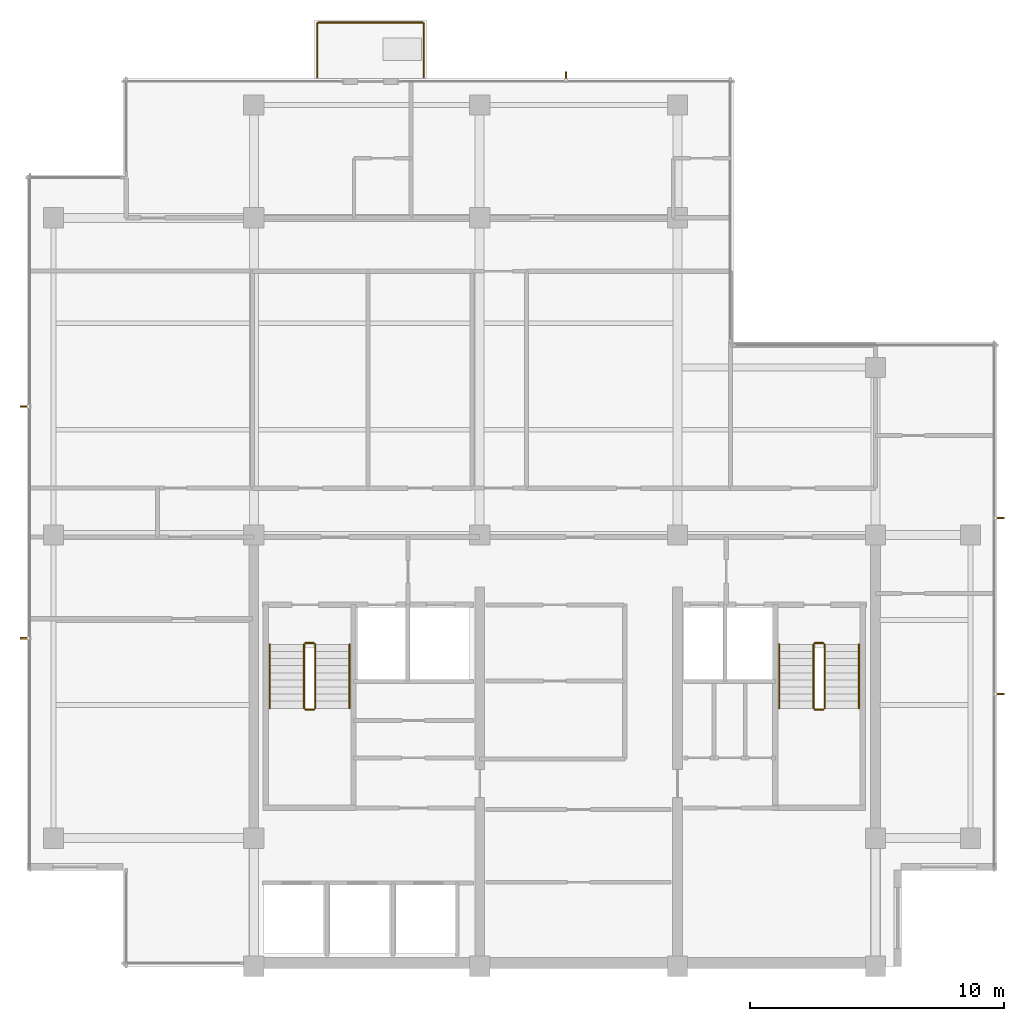
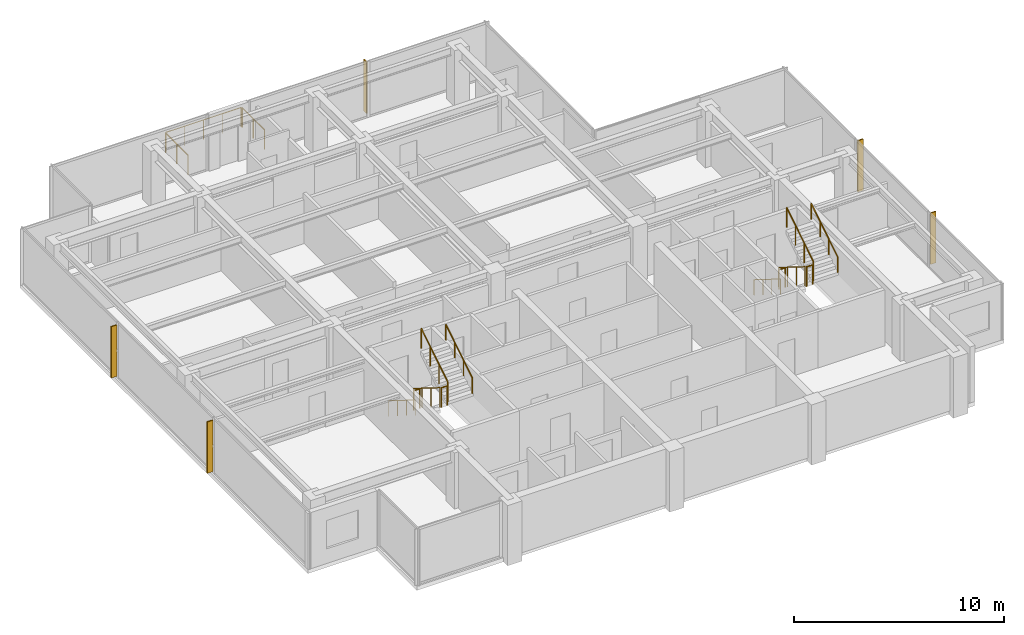
# One storey, part 11 of 11: 15 railings, 5 shading devices.
"""IFC4 building model written with IfcOpenShell, lengths in metres."""

from ifc_helpers import new_model, si_unit, direction, frame, origin, origin_2d, place, context, subcontext, project, spatial, polyline, circle, outline, extrude, material, layer, layer_set, type_object, element, save


model = new_model("IFC4")

# Units and contexts
model_context = context("Model", 3, precision=1e-05, world=origin(), true_north=direction((0.0, 1.0)))
body_context = subcontext(model_context, "Body", "Model", "MODEL_VIEW")
ifc_project = project(units=[si_unit("LENGTHUNIT", "METRE"), si_unit("AREAUNIT", "SQUARE_METRE"), si_unit("VOLUMEUNIT", "CUBIC_METRE"), si_unit("PLANEANGLEUNIT", "RADIAN"), si_unit("MASSUNIT", "GRAM", prefix="KILO")], contexts=[model_context])

# Site, building, storey
site_placement = place(None, origin())
site = spatial("IfcSite", under=ifc_project, at=site_placement, CompositionType="ELEMENT")
building_placement = place(site_placement, origin())
building = spatial("IfcBuilding", under=site, at=building_placement, Name="Qalmaran Belvedere Hotel", CompositionType="ELEMENT")
storey_placement = place(building_placement, frame((0.0, 0.0, 273.89990234375)))
storey = spatial("IfcBuildingStorey", under=building, at=storey_placement, Name="L71", CompositionType="ELEMENT", Elevation=273.89990234375)

# Shading devices
ifc_material_1 = material(Name="Anodised Bronze Aluminium", Category="aluminium")
ifc_layer = layer(ifc_material_1, 0.06494140625, Name="Anodised Bronze Aluminium")
ifc_layer_set = layer_set([ifc_layer], Name="Anodised Bronze Aluminium")
shading_device_type = type_object("IfcShadingDeviceType", Name="FIN-BRNZ-300", PredefinedType="USERDEFINED", material=ifc_layer_set)
shading_device_1_placement = place(storey_placement, frame((0.0, 0.0, 0.16015625)))
element("IfcShadingDevice", 1, at=shading_device_1_placement, inside=storey, type_object=shading_device_type, Name="L71 Bronze Fin 1", ObjectType="FIN", PredefinedType="USERDEFINED", context=body_context, shape_type="SweptSolid", body=[
    extrude(outline(polyline([(49.5673828125, 14.20068359375), (49.867431640625, 14.20068359375), (49.867431640625, 14.265869140625), (49.5673828125, 14.265869140625), (49.5673828125, 14.20068359375)])), origin(), (0.0, 0.0, 1.0), 2.97998046875),
])
shading_device_2_placement = place(storey_placement, frame((0.0, 0.0, 0.16015625)))
element("IfcShadingDevice", 2, at=shading_device_2_placement, inside=storey, type_object=shading_device_type, Name="L71 Bronze Fin 2", ObjectType="FIN", PredefinedType="USERDEFINED", context=body_context, shape_type="SweptSolid", body=[
    extrude(outline(polyline([(49.5673828125, 21.13427734375), (49.867431640625, 21.13427734375), (49.867431640625, 21.19921875), (49.5673828125, 21.19921875), (49.5673828125, 21.13427734375)])), origin(), (0.0, 0.0, 1.0), 2.97998046875),
])
shading_device_3_placement = place(storey_placement, frame((0.0, 0.0, 0.16015625)))
element("IfcShadingDevice", 3, at=shading_device_3_placement, inside=storey, type_object=shading_device_type, Name="L71 Bronze Fin 1", ObjectType="FIN", PredefinedType="USERDEFINED", context=body_context, shape_type="SweptSolid", body=[
    extrude(outline(polyline([(32.632568359375, 38.467529296875), (32.632568359375, 38.767578125), (32.5673828125, 38.767578125), (32.5673828125, 38.467529296875), (32.632568359375, 38.467529296875)])), origin(), (0.0, 0.0, 1.0), 2.97998046875),
])
shading_device_4_placement = place(storey_placement, frame((0.0, 0.0, 0.16015625)))
element("IfcShadingDevice", 4, at=shading_device_4_placement, inside=storey, type_object=shading_device_type, Name="L71 Bronze Fin 1", ObjectType="FIN", PredefinedType="USERDEFINED", context=body_context, shape_type="SweptSolid", body=[
    extrude(outline(polyline([(11.382568359375, 25.59912109375), (11.08251953125, 25.59912109375), (11.08251953125, 25.5341796875), (11.382568359375, 25.5341796875), (11.382568359375, 25.59912109375)])), origin(), (0.0, 0.0, 1.0), 2.97998046875),
])
shading_device_5_placement = place(storey_placement, frame((0.0, 0.0, 0.16015625)))
element("IfcShadingDevice", 5, at=shading_device_5_placement, inside=storey, type_object=shading_device_type, Name="L71 Bronze Fin 2", ObjectType="FIN", PredefinedType="USERDEFINED", context=body_context, shape_type="SweptSolid", body=[
    extrude(outline(polyline([(11.382568359375, 16.4658203125), (11.08251953125, 16.4658203125), (11.08251953125, 16.40087890625), (11.382568359375, 16.40087890625), (11.382568359375, 16.4658203125)])), origin(), (0.0, 0.0, 1.0), 2.97998046875),
])

# Railings
railing_type_1 = type_object("IfcRailingType", Name="GRD-BAL-1150", PredefinedType="BALUSTRADE", material=ifc_material_1)
railing_1_placement = place(storey_placement, frame((22.800048828125, 38.534912109375, 0.0)))
element("IfcRailing", 6, at=railing_1_placement, inside=storey, type_object=railing_type_1, Name="L71 Guardrail BAL-L71-N-1", PredefinedType="BALUSTRADE", context=body_context, shape_type="SweptSolid", body=[
    extrude(circle(Radius=0.02392578125, at=origin_2d()), frame((0.0, 0.0, 1.1259765625), z_axis=(0.0, 1.0, 0.0), x_axis=(-1.0, 0.0, 0.0)), (0.0, 0.0, 1.0), 2.130126953125),
    extrude(circle(Radius=0.02099609375, at=origin_2d()), origin(), (0.0, 0.0, 1.0), 1.101806640625),
    extrude(circle(Radius=0.02099609375, at=origin_2d()), frame((0.0, 1.06494140625, 0.0)), (0.0, 0.0, 1.0), 1.101806640625),
    extrude(circle(Radius=0.02099609375, at=origin_2d()), frame((0.0, 2.130126953125, 0.0)), (0.0, 0.0, 1.0), 1.101806640625),
])
railing_2_placement = place(storey_placement, frame((22.8349609375, 40.699951171875, 0.0)))
element("IfcRailing", 7, at=railing_2_placement, inside=storey, type_object=railing_type_1, Name="L71 Guardrail BAL-L71-N-2", PredefinedType="BALUSTRADE", context=body_context, shape_type="SweptSolid", body=[
    extrude(circle(Radius=0.02392578125, at=origin_2d()), frame((0.0, 0.0, 1.1259765625), z_axis=(1.0, 0.0, 0.0), x_axis=(0.0, 1.0, 0.0)), (0.0, 0.0, 1.0), 4.130126953125),
    extrude(circle(Radius=0.02099609375, at=origin_2d()), origin(), (0.0, 0.0, 1.0), 1.101806640625),
    extrude(circle(Radius=0.02099609375, at=origin_2d()), frame((1.032470703125, 0.0, 0.0)), (0.0, 0.0, 1.0), 1.101806640625),
    extrude(circle(Radius=0.02099609375, at=origin_2d()), frame((2.06494140625, 0.0, 0.0)), (0.0, 0.0, 1.0), 1.101806640625),
    extrude(circle(Radius=0.02099609375, at=origin_2d()), frame((3.09765625, 0.0, 0.0)), (0.0, 0.0, 1.0), 1.101806640625),
    extrude(circle(Radius=0.02099609375, at=origin_2d()), frame((4.130126953125, 0.0, 0.0)), (0.0, 0.0, 1.0), 1.101806640625),
])
railing_3_placement = place(storey_placement, frame((27.0, 40.6650390625, 0.0)))
element("IfcRailing", 8, at=railing_3_placement, inside=storey, type_object=railing_type_1, Name="L71 Guardrail BAL-L71-N-3", PredefinedType="BALUSTRADE", context=body_context, shape_type="SweptSolid", body=[
    extrude(circle(Radius=0.02392578125, at=origin_2d()), frame((0.0, 0.0, 1.1259765625), z_axis=(0.0, -1.0, 0.0), x_axis=(1.0, 0.0, 0.0)), (0.0, 0.0, 1.0), 2.130126953125),
    extrude(circle(Radius=0.02099609375, at=origin_2d()), origin(), (0.0, 0.0, 1.0), 1.101806640625),
    extrude(circle(Radius=0.02099609375, at=origin_2d()), frame((0.0, -1.06494140625, 0.0)), (0.0, 0.0, 1.0), 1.101806640625),
    extrude(circle(Radius=0.02099609375, at=origin_2d()), frame((0.0, -2.130126953125, 0.0)), (0.0, 0.0, 1.0), 1.101806640625),
])
ifc_material_2 = material(Name="Stainless Steel 1.4401", Category="steel")
railing_type_2 = type_object("IfcRailingType", Name="RLG-STAIR-GUARD-1150", PredefinedType="GUARDRAIL", material=ifc_material_2)
railing_4_placement = place(storey_placement, frame((22.280029296875, 16.18994140625, 0.175048828125)))
element("IfcRailing", 9, at=railing_4_placement, inside=storey, type_object=railing_type_2, Name="L71 ST-1 stair guard 1", PredefinedType="GUARDRAIL", context=body_context, shape_type="SweptSolid", body=[
    extrude(circle(Radius=0.02392578125, at=origin_2d()), frame((0.0, 0.0, 1.1259765625), z_axis=(0.0, -0.848007534815, 0.529984170421), x_axis=(1.0, 0.0, 0.0)), (0.0, 0.0, 1.0), 2.9716796875),
    extrude(circle(Radius=0.02099609375, at=origin_2d()), origin(), (0.0, 0.0, 1.0), 1.101806640625),
    extrude(circle(Radius=0.02099609375, at=origin_2d()), frame((0.0, -0.840087890625, 0.52490234375)), (0.0, 0.0, 1.0), 1.101806640625),
    extrude(circle(Radius=0.02099609375, at=origin_2d()), frame((0.0, -1.679931640625, 1.050048828125)), (0.0, 0.0, 1.0), 1.101806640625),
    extrude(circle(Radius=0.02099609375, at=origin_2d()), frame((0.0, -2.52001953125, 1.574951171875)), (0.0, 0.0, 1.0), 1.101806640625),
])
railing_5_placement = place(storey_placement, frame((22.330078125, 13.6201171875, 1.75)))
element("IfcRailing", 10, at=railing_5_placement, inside=storey, type_object=railing_type_2, Name="L71 ST-1 stair guard 2", PredefinedType="GUARDRAIL", context=body_context, shape_type="SweptSolid", body=[
    extrude(circle(Radius=0.02392578125, at=origin_2d()), frame((0.0, 0.0, 1.1259765625), z_axis=(1.0, 0.0, 0.0), x_axis=(0.0, 1.0, 0.0)), (0.0, 0.0, 1.0), 0.33984375),
    extrude(circle(Radius=0.02099609375, at=origin_2d()), origin(), (0.0, 0.0, 1.0), 1.101806640625),
    extrude(circle(Radius=0.02099609375, at=origin_2d()), frame((0.33984375, 0.0, 0.0)), (0.0, 0.0, 1.0), 1.101806640625),
])
railing_6_placement = place(storey_placement, frame((22.719970703125, 13.669921875, 1.925048828125)))
element("IfcRailing", 11, at=railing_6_placement, inside=storey, type_object=railing_type_2, Name="L71 ST-1 stair guard 3", PredefinedType="GUARDRAIL", context=body_context, shape_type="SweptSolid", body=[
    extrude(circle(Radius=0.02392578125, at=origin_2d()), frame((0.0, 0.0, 1.1259765625), z_axis=(0.0, 0.848007534815, 0.529984170421), x_axis=(-1.0, 0.0, 0.0)), (0.0, 0.0, 1.0), 2.9716796875),
    extrude(circle(Radius=0.02099609375, at=origin_2d()), origin(), (0.0, 0.0, 1.0), 1.101806640625),
    extrude(circle(Radius=0.02099609375, at=origin_2d()), frame((0.0, 0.840087890625, 0.52490234375)), (0.0, 0.0, 1.0), 1.101806640625),
    extrude(circle(Radius=0.02099609375, at=origin_2d()), frame((0.0, 1.679931640625, 1.050048828125)), (0.0, 0.0, 1.0), 1.101806640625),
    extrude(circle(Radius=0.02099609375, at=origin_2d()), frame((0.0, 2.52001953125, 1.574951171875)), (0.0, 0.0, 1.0), 1.101806640625),
])
railing_7_placement = place(storey_placement, frame((22.330078125, 16.239990234375, 0.0)))
element("IfcRailing", 12, at=railing_7_placement, inside=storey, type_object=railing_type_2, Name="L71 ST-1 stair guard 4", PredefinedType="GUARDRAIL", context=body_context, shape_type="SweptSolid", body=[
    extrude(circle(Radius=0.02392578125, at=origin_2d()), frame((0.0, 0.0, 1.1259765625), z_axis=(1.0, 0.0, 0.0), x_axis=(0.0, 1.0, 0.0)), (0.0, 0.0, 1.0), 0.33984375),
    extrude(circle(Radius=0.02099609375, at=origin_2d()), origin(), (0.0, 0.0, 1.0), 1.101806640625),
    extrude(circle(Radius=0.02099609375, at=origin_2d()), frame((0.33984375, 0.0, 0.0)), (0.0, 0.0, 1.0), 1.101806640625),
])
railing_8_placement = place(storey_placement, frame((42.360107421875, 16.18994140625, 0.175048828125)))
element("IfcRailing", 13, at=railing_8_placement, inside=storey, type_object=railing_type_2, Name="L71 ST-2 stair guard 1", PredefinedType="GUARDRAIL", context=body_context, shape_type="SweptSolid", body=[
    extrude(circle(Radius=0.02392578125, at=origin_2d()), frame((0.0, 0.0, 1.1259765625), z_axis=(0.0, -0.848007534815, 0.529984170421), x_axis=(1.0, 0.0, 0.0)), (0.0, 0.0, 1.0), 2.9716796875),
    extrude(circle(Radius=0.02099609375, at=origin_2d()), origin(), (0.0, 0.0, 1.0), 1.101806640625),
    extrude(circle(Radius=0.02099609375, at=origin_2d()), frame((0.0, -0.840087890625, 0.52490234375)), (0.0, 0.0, 1.0), 1.101806640625),
    extrude(circle(Radius=0.02099609375, at=origin_2d()), frame((0.0, -1.679931640625, 1.050048828125)), (0.0, 0.0, 1.0), 1.101806640625),
    extrude(circle(Radius=0.02099609375, at=origin_2d()), frame((0.0, -2.52001953125, 1.574951171875)), (0.0, 0.0, 1.0), 1.101806640625),
])
railing_9_placement = place(storey_placement, frame((42.409912109375, 13.6201171875, 1.75)))
element("IfcRailing", 14, at=railing_9_placement, inside=storey, type_object=railing_type_2, Name="L71 ST-2 stair guard 2", PredefinedType="GUARDRAIL", context=body_context, shape_type="SweptSolid", body=[
    extrude(circle(Radius=0.02392578125, at=origin_2d()), frame((0.0, 0.0, 1.1259765625), z_axis=(1.0, 0.0, 0.0), x_axis=(0.0, 1.0, 0.0)), (0.0, 0.0, 1.0), 0.340087890625),
    extrude(circle(Radius=0.02099609375, at=origin_2d()), origin(), (0.0, 0.0, 1.0), 1.101806640625),
    extrude(circle(Radius=0.02099609375, at=origin_2d()), frame((0.340087890625, 0.0, 0.0)), (0.0, 0.0, 1.0), 1.101806640625),
])
railing_10_placement = place(storey_placement, frame((42.800048828125, 13.669921875, 1.925048828125)))
element("IfcRailing", 15, at=railing_10_placement, inside=storey, type_object=railing_type_2, Name="L71 ST-2 stair guard 3", PredefinedType="GUARDRAIL", context=body_context, shape_type="SweptSolid", body=[
    extrude(circle(Radius=0.02392578125, at=origin_2d()), frame((0.0, 0.0, 1.1259765625), z_axis=(0.0, 0.848007534815, 0.529984170421), x_axis=(-1.0, 0.0, 0.0)), (0.0, 0.0, 1.0), 2.9716796875),
    extrude(circle(Radius=0.02099609375, at=origin_2d()), origin(), (0.0, 0.0, 1.0), 1.101806640625),
    extrude(circle(Radius=0.02099609375, at=origin_2d()), frame((0.0, 0.840087890625, 0.52490234375)), (0.0, 0.0, 1.0), 1.101806640625),
    extrude(circle(Radius=0.02099609375, at=origin_2d()), frame((0.0, 1.679931640625, 1.050048828125)), (0.0, 0.0, 1.0), 1.101806640625),
    extrude(circle(Radius=0.02099609375, at=origin_2d()), frame((0.0, 2.52001953125, 1.574951171875)), (0.0, 0.0, 1.0), 1.101806640625),
])
railing_11_placement = place(storey_placement, frame((42.409912109375, 16.239990234375, 0.0)))
element("IfcRailing", 16, at=railing_11_placement, inside=storey, type_object=railing_type_2, Name="L71 ST-2 stair guard 4", PredefinedType="GUARDRAIL", context=body_context, shape_type="SweptSolid", body=[
    extrude(circle(Radius=0.02392578125, at=origin_2d()), frame((0.0, 0.0, 1.1259765625), z_axis=(1.0, 0.0, 0.0), x_axis=(0.0, 1.0, 0.0)), (0.0, 0.0, 1.0), 0.340087890625),
    extrude(circle(Radius=0.02099609375, at=origin_2d()), origin(), (0.0, 0.0, 1.0), 1.101806640625),
    extrude(circle(Radius=0.02099609375, at=origin_2d()), frame((0.340087890625, 0.0, 0.0)), (0.0, 0.0, 1.0), 1.101806640625),
])
railing_type_3 = type_object("IfcRailingType", Name="RLG-STAIR-HAND-910", PredefinedType="HANDRAIL", material=ifc_material_2)
railing_12_placement = place(storey_placement, frame((20.929931640625, 16.18994140625, 0.175048828125)))
element("IfcRailing", 17, at=railing_12_placement, inside=storey, type_object=railing_type_3, Name="L71 ST-1 stair handrail 1", PredefinedType="HANDRAIL", context=body_context, shape_type="SweptSolid", body=[
    extrude(circle(Radius=0.02392578125, at=origin_2d()), frame((0.0, 0.0, 0.8857421875), z_axis=(0.0, -0.848007534815, 0.529984170421), x_axis=(1.0, 0.0, 0.0)), (0.0, 0.0, 1.0), 2.9716796875),
    extrude(circle(Radius=0.02099609375, at=origin_2d()), origin(), (0.0, 0.0, 1.0), 0.86181640625),
    extrude(circle(Radius=0.02099609375, at=origin_2d()), frame((0.0, -0.840087890625, 0.52490234375)), (0.0, 0.0, 1.0), 0.86181640625),
    extrude(circle(Radius=0.02099609375, at=origin_2d()), frame((0.0, -1.679931640625, 1.050048828125)), (0.0, 0.0, 1.0), 0.86181640625),
    extrude(circle(Radius=0.02099609375, at=origin_2d()), frame((0.0, -2.52001953125, 1.574951171875)), (0.0, 0.0, 1.0), 0.86181640625),
])
railing_13_placement = place(storey_placement, frame((24.070068359375, 13.669921875, 1.925048828125)))
element("IfcRailing", 18, at=railing_13_placement, inside=storey, type_object=railing_type_3, Name="L71 ST-1 stair handrail 2", PredefinedType="HANDRAIL", context=body_context, shape_type="SweptSolid", body=[
    extrude(circle(Radius=0.02392578125, at=origin_2d()), frame((0.0, 0.0, 0.8857421875), z_axis=(0.0, 0.848007534815, 0.529984170421), x_axis=(-1.0, 0.0, 0.0)), (0.0, 0.0, 1.0), 2.9716796875),
    extrude(circle(Radius=0.02099609375, at=origin_2d()), origin(), (0.0, 0.0, 1.0), 0.86181640625),
    extrude(circle(Radius=0.02099609375, at=origin_2d()), frame((0.0, 0.840087890625, 0.52490234375)), (0.0, 0.0, 1.0), 0.86181640625),
    extrude(circle(Radius=0.02099609375, at=origin_2d()), frame((0.0, 1.679931640625, 1.050048828125)), (0.0, 0.0, 1.0), 0.86181640625),
    extrude(circle(Radius=0.02099609375, at=origin_2d()), frame((0.0, 2.52001953125, 1.574951171875)), (0.0, 0.0, 1.0), 0.86181640625),
])
railing_14_placement = place(storey_placement, frame((41.010009765625, 16.18994140625, 0.175048828125)))
element("IfcRailing", 19, at=railing_14_placement, inside=storey, type_object=railing_type_3, Name="L71 ST-2 stair handrail 1", PredefinedType="HANDRAIL", context=body_context, shape_type="SweptSolid", body=[
    extrude(circle(Radius=0.02392578125, at=origin_2d()), frame((0.0, 0.0, 0.8857421875), z_axis=(0.0, -0.848007534815, 0.529984170421), x_axis=(1.0, 0.0, 0.0)), (0.0, 0.0, 1.0), 2.9716796875),
    extrude(circle(Radius=0.02099609375, at=origin_2d()), origin(), (0.0, 0.0, 1.0), 0.86181640625),
    extrude(circle(Radius=0.02099609375, at=origin_2d()), frame((0.0, -0.840087890625, 0.52490234375)), (0.0, 0.0, 1.0), 0.86181640625),
    extrude(circle(Radius=0.02099609375, at=origin_2d()), frame((0.0, -1.679931640625, 1.050048828125)), (0.0, 0.0, 1.0), 0.86181640625),
    extrude(circle(Radius=0.02099609375, at=origin_2d()), frame((0.0, -2.52001953125, 1.574951171875)), (0.0, 0.0, 1.0), 0.86181640625),
])
railing_15_placement = place(storey_placement, frame((44.14990234375, 13.669921875, 1.925048828125)))
element("IfcRailing", 20, at=railing_15_placement, inside=storey, type_object=railing_type_3, Name="L71 ST-2 stair handrail 2", PredefinedType="HANDRAIL", context=body_context, shape_type="SweptSolid", body=[
    extrude(circle(Radius=0.02392578125, at=origin_2d()), frame((0.0, 0.0, 0.8857421875), z_axis=(0.0, 0.848007534815, 0.529984170421), x_axis=(-1.0, 0.0, 0.0)), (0.0, 0.0, 1.0), 2.9716796875),
    extrude(circle(Radius=0.02099609375, at=origin_2d()), origin(), (0.0, 0.0, 1.0), 0.86181640625),
    extrude(circle(Radius=0.02099609375, at=origin_2d()), frame((0.0, 0.840087890625, 0.52490234375)), (0.0, 0.0, 1.0), 0.86181640625),
    extrude(circle(Radius=0.02099609375, at=origin_2d()), frame((0.0, 1.679931640625, 1.050048828125)), (0.0, 0.0, 1.0), 0.86181640625),
    extrude(circle(Radius=0.02099609375, at=origin_2d()), frame((0.0, 2.52001953125, 1.574951171875)), (0.0, 0.0, 1.0), 0.86181640625),
])

save(model, "model.ifc")
